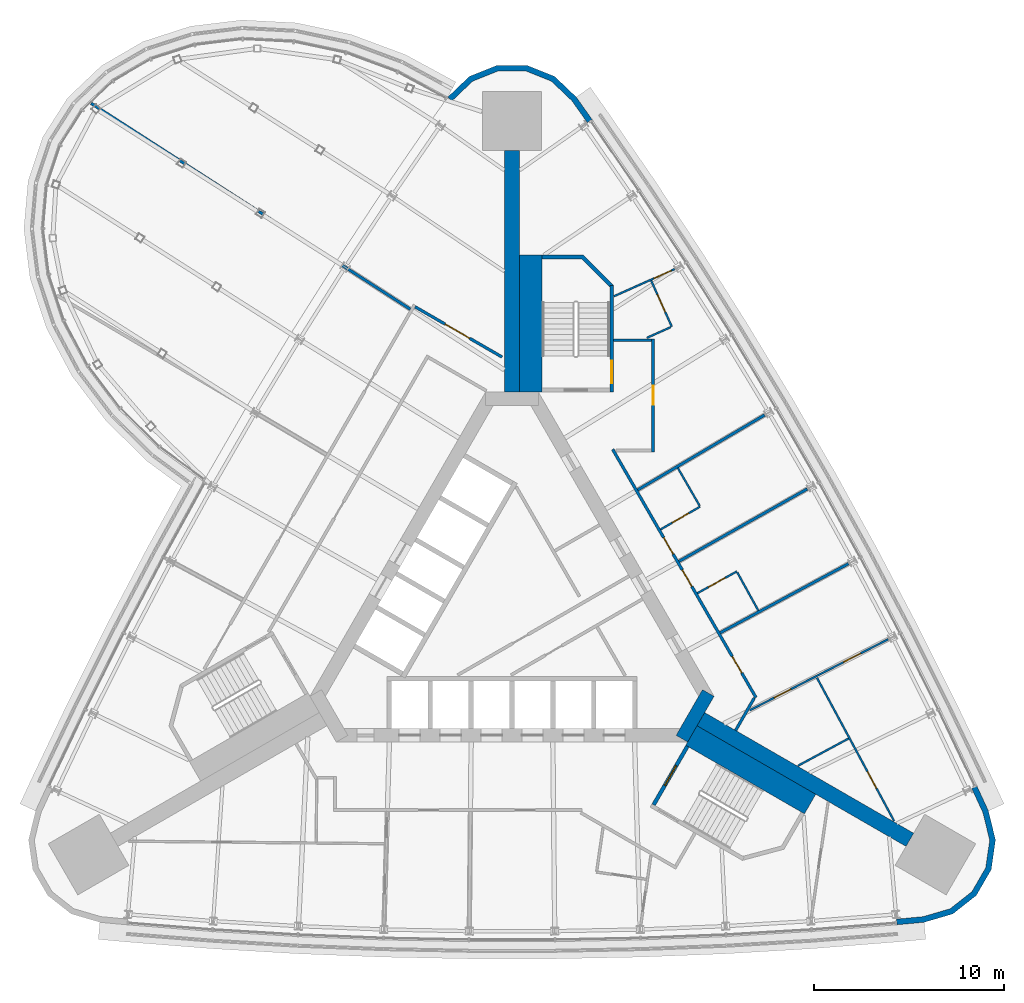
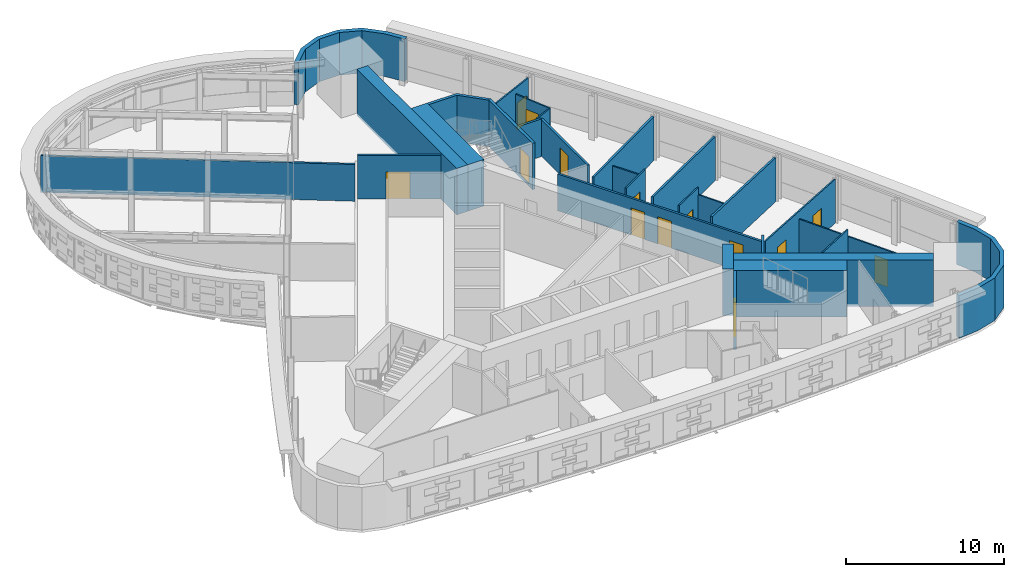
# One storey, part 13 of 17: 29 walls, 14 doors, 14 openings.
"""IFC4 building model written with IfcOpenShell, lengths in metres."""

from ifc_helpers import new_model, si_unit, direction, frame, frame_2d, origin, place, context, subcontext, project, spatial, polyline, rectangle, outline, extrude, material, layer, layer_set, type_object, element, fill, save


model = new_model("IFC4")

# Units and contexts
model_context = context("Model", 3, precision=1e-05, world=origin(), true_north=direction((0.0, 1.0)))
body_context = subcontext(model_context, "Body", "Model", "MODEL_VIEW")
ifc_project = project(units=[si_unit("LENGTHUNIT", "METRE"), si_unit("AREAUNIT", "SQUARE_METRE"), si_unit("VOLUMEUNIT", "CUBIC_METRE"), si_unit("PLANEANGLEUNIT", "RADIAN"), si_unit("MASSUNIT", "GRAM", prefix="KILO")], contexts=[model_context])

# Site, building, storey
site_placement = place(None, origin())
site = spatial("IfcSite", under=ifc_project, at=site_placement, CompositionType="ELEMENT")
building_placement = place(site_placement, origin())
building = spatial("IfcBuilding", under=site, at=building_placement, Name="Noor Cloister Tower", CompositionType="ELEMENT")
storey_placement = place(building_placement, frame((0.0, 0.0, 102.300048828125)))
storey = spatial("IfcBuildingStorey", under=building, at=storey_placement, Name="L26", CompositionType="ELEMENT", Elevation=102.300048828125)

# Walls
ifc_material_1 = material(Name="Concrete C80/95", Category="concrete")
ifc_layer_1 = layer(ifc_material_1, 0.800048828125)
ifc_layer_set_1 = layer_set([ifc_layer_1], Name="Buttress wall 800 C80/95")
wall_type_1 = type_object("IfcWallType", Name="Buttress wall 800 C80/95", PredefinedType="SHEAR", material=ifc_layer_set_1)
wall_1_placement = place(storey_placement, frame((0.0, 11.456298828125, -0.199951171875), z_axis=(0.0, 0.0, 1.0), x_axis=(0.0, 1.0, 0.0)))
element("IfcWall", 1, at=wall_1_placement, inside=storey, type_object=wall_type_1, Name="Buttress wall N L26", PredefinedType="SHEAR", context=body_context, shape_type="SweptSolid", body=[
    extrude(rectangle(XDim=12.677734375, YDim=0.800048828125, at=frame_2d((6.3388671875, 0.0))), origin(), (0.0, 0.0, 1.0), 3.599853515625),
])
wall_2_placement = place(storey_placement, frame((9.921630859375, -5.728271484375, -0.199951171875), z_axis=(0.0, 0.0, 1.0), x_axis=(0.866029086277, -0.499993621681, 0.0)))
element("IfcWall", 2, at=wall_2_placement, inside=storey, type_object=wall_type_1, Name="Buttress wall SE L26", PredefinedType="SHEAR", context=body_context, shape_type="SweptSolid", body=[
    extrude(rectangle(XDim=12.677490234375, YDim=0.800048828125, at=frame_2d((6.3388671875, 0.0))), origin(), (0.0, 0.0, 1.0), 3.599853515625),
])
ifc_material_2 = material(Name="Concrete C80/95", Category="concrete")
ifc_layer_2 = layer(ifc_material_2, 0.699951171875)
ifc_layer_set_2 = layer_set([ifc_layer_2], Name="Core wall 700 C80/95")
wall_type_2 = type_object("IfcWallType", Name="Core wall 700 C80/95", PredefinedType="SHEAR", material=ifc_layer_set_2)
wall_3_placement = place(storey_placement, frame((8.925537109375, -6.753173828125, -0.199951171875), z_axis=(0.0, 0.0, 1.0), x_axis=(0.500042739161, 0.866000726912, 0.0)))
element("IfcWall", 3, at=wall_3_placement, inside=storey, type_object=wall_type_2, Name="Core wall L26 2", PredefinedType="SHEAR", context=body_context, shape_type="SweptSolid", body=[
    extrude(rectangle(XDim=2.771240234375, YDim=0.699951171875, at=frame_2d((1.3857421875, 0.0))), origin(), (0.0, 0.0, 1.0), 3.599853515625),
])

# Wall, openings, doors
ifc_material_3 = material(Name="Gypsum board partition on steel studs, 150 mm", Category="steel")
ifc_layer_3 = layer(ifc_material_3, 0.14990234375)
ifc_layer_set_3 = layer_set([ifc_layer_3], Name="Flat wall 150")
wall_type_3 = type_object("IfcWallType", Name="Flat wall 150", PredefinedType="PARTITIONING", material=ifc_layer_set_3)
wall_4_placement = place(storey_placement, frame((5.28857421875, 8.4462890625, 0.0), z_axis=(0.0, 0.0, 1.0), x_axis=(0.499996620721, -0.866027354803, 0.0)))
wall_4 = element("IfcWall", 4, at=wall_4_placement, inside=storey, type_object=wall_type_3, Name="Flat wall 150 L26 003", PredefinedType="PARTITIONING", context=body_context, shape_type="SweptSolid", body=[
    extrude(rectangle(XDim=15.056640625, YDim=0.14990234375, at=frame_2d((7.5283203125, 0.0))), origin(), (0.0, 0.0, 1.0), 2.846923828125),
])
opening_1_placement = place(wall_4_placement, frame((12.56640625, 0.0, 0.0)))
opening_1 = element("IfcOpeningElement", 5, at=opening_1_placement, cuts=wall_4, Name="Opening L26-005", PredefinedType="OPENING", context=body_context, shape_type="SweptSolid", body=[
    extrude(rectangle(XDim=1.0, YDim=2.10009765625, at=frame_2d((0.5, 1.050048828125))), frame((0.0, 0.0849609375, 0.0), z_axis=(0.0, -1.0, 0.0), x_axis=(1.0, 0.0, 0.0)), (0.0, 0.0, 1.0), 0.169921875),
])
opening_2_placement = place(wall_4_placement, frame((7.315673828125, 0.0, 0.0)))
opening_2 = element("IfcOpeningElement", 6, at=opening_2_placement, cuts=wall_4, Name="Opening L26-006", PredefinedType="OPENING", context=body_context, shape_type="SweptSolid", body=[
    extrude(rectangle(XDim=1.0, YDim=2.10009765625, at=frame_2d((0.5, 1.050048828125))), frame((0.0, 0.0849609375, 0.0), z_axis=(0.0, -1.0, 0.0), x_axis=(1.0, 0.0, 0.0)), (0.0, 0.0, 1.0), 0.169921875),
])
opening_3_placement = place(wall_4_placement, frame((5.357421875, 0.0, 0.0)))
opening_3 = element("IfcOpeningElement", 7, at=opening_3_placement, cuts=wall_4, Name="Opening L26-007", PredefinedType="OPENING", context=body_context, shape_type="SweptSolid", body=[
    extrude(rectangle(XDim=1.0, YDim=2.10009765625, at=frame_2d((0.5, 1.050048828125))), frame((0.0, 0.0849609375, 0.0), z_axis=(0.0, -1.0, 0.0), x_axis=(1.0, 0.0, 0.0)), (0.0, 0.0, 1.0), 0.169921875),
])
ifc_material_4 = material(Name="Timber door leaf with steel frame", Category="steel")
door_type_1 = type_object("IfcDoorType", Name="Flat entrance door 1000 FD60S", OperationType="NOTDEFINED", PredefinedType="DOOR", material=ifc_material_4)
door_1_placement = place(opening_1_placement, origin())
door_1 = element("IfcDoor", 8, at=door_1_placement, inside=storey, type_object=door_type_1, Name="Flat entrance door 1000 L26-005", OperationType="SINGLE_SWING_RIGHT", OverallHeight=2.10009765625, OverallWidth=1.0, PredefinedType="DOOR", context=body_context, shape_type="SweptSolid", body=[
    extrude(rectangle(XDim=1.0, YDim=2.10009765625, at=frame_2d((0.5, 1.050048828125))), frame((0.0, 0.02490234375, 0.0), z_axis=(0.0, -1.0, 0.0), x_axis=(1.0, 0.0, 0.0)), (0.0, 0.0, 1.0), 0.050048828125),
])
fill(opening_1, door_1)
door_2_placement = place(opening_2_placement, origin())
door_2 = element("IfcDoor", 9, at=door_2_placement, inside=storey, type_object=door_type_1, Name="Flat entrance door 1000 L26-006", OperationType="SINGLE_SWING_RIGHT", OverallHeight=2.10009765625, OverallWidth=1.0, PredefinedType="DOOR", context=body_context, shape_type="SweptSolid", body=[
    extrude(rectangle(XDim=1.0, YDim=2.10009765625, at=frame_2d((0.5, 1.050048828125))), frame((0.0, 0.02490234375, 0.0), z_axis=(0.0, -1.0, 0.0), x_axis=(1.0, 0.0, 0.0)), (0.0, 0.0, 1.0), 0.050048828125),
])
fill(opening_2, door_2)
door_3_placement = place(opening_3_placement, origin())
door_3 = element("IfcDoor", 10, at=door_3_placement, inside=storey, type_object=door_type_1, Name="Flat entrance door 1000 L26-007", OperationType="SINGLE_SWING_LEFT", OverallHeight=2.10009765625, OverallWidth=1.0, PredefinedType="DOOR", context=body_context, shape_type="SweptSolid", body=[
    extrude(rectangle(XDim=1.0, YDim=2.10009765625, at=frame_2d((0.5, 1.050048828125))), frame((0.0, 0.02490234375, 0.0), z_axis=(0.0, -1.0, 0.0), x_axis=(1.0, 0.0, 0.0)), (0.0, 0.0, 1.0), 0.050048828125),
])
fill(opening_3, door_3)

# Wall, opening, door
wall_5_placement = place(storey_placement, frame((7.41064453125, 14.25634765625, 0.0), z_axis=(0.0, 0.0, 1.0), x_axis=(0.0, -1.0, 0.0)))
wall_5 = element("IfcWall", 11, at=wall_5_placement, inside=storey, type_object=wall_type_3, Name="Flat wall 150 L26 006", PredefinedType="PARTITIONING", context=body_context, shape_type="SweptSolid", body=[
    extrude(rectangle(XDim=5.949951171875, YDim=0.14990234375, at=frame_2d((2.97509765625, 0.0))), origin(), (0.0, 0.0, 1.0), 2.846923828125),
])
opening_4_placement = place(wall_5_placement, frame((2.47509765625, 0.0, 0.0)))
opening_4 = element("IfcOpeningElement", 12, at=opening_4_placement, cuts=wall_5, Name="Opening L26-010", PredefinedType="OPENING", context=body_context, shape_type="SweptSolid", body=[
    extrude(rectangle(XDim=1.0, YDim=2.10009765625, at=frame_2d((0.5, 1.050048828125))), frame((0.0, 0.0849609375, 0.0), z_axis=(0.0, -1.0, 0.0), x_axis=(1.0, 0.0, 0.0)), (0.0, 0.0, 1.0), 0.169921875),
])
door_4_placement = place(opening_4_placement, origin())
door_4 = element("IfcDoor", 13, at=door_4_placement, inside=storey, type_object=door_type_1, Name="Flat entrance door 1000 L26-010", OperationType="SINGLE_SWING_RIGHT", OverallHeight=2.10009765625, OverallWidth=1.0, PredefinedType="DOOR", context=body_context, shape_type="SweptSolid", body=[
    extrude(rectangle(XDim=1.0, YDim=2.10009765625, at=frame_2d((0.5, 1.050048828125))), frame((0.0, 0.02490234375, 0.0), z_axis=(0.0, -1.0, 0.0), x_axis=(1.0, 0.0, 0.0)), (0.0, 0.0, 1.0), 0.050048828125),
])
fill(opening_4, door_4)

wall_6_placement = place(storey_placement, frame((-5.093017578125, 15.93505859375, 0.0), z_axis=(0.0, 0.0, 1.0), x_axis=(0.866033195618, -0.499986503906, 0.0)))
wall_6 = element("IfcWall", 14, at=wall_6_placement, inside=storey, type_object=wall_type_3, Name="Flat wall 150 L26 007", PredefinedType="PARTITIONING", context=body_context, shape_type="SweptSolid", body=[
    extrude(rectangle(XDim=5.282470703125, YDim=0.14990234375, at=frame_2d((2.64111328125, 0.0))), origin(), (0.0, 0.0, 1.0), 3.39990234375),
])
opening_5_placement = place(wall_6_placement, frame((1.816162109375, 0.0, 0.0)))
opening_5 = element("IfcOpeningElement", 15, at=opening_5_placement, cuts=wall_6, Name="Opening L26-011", PredefinedType="OPENING", context=body_context, shape_type="SweptSolid", body=[
    extrude(rectangle(XDim=1.5, YDim=2.10009765625, at=frame_2d((0.75, 1.050048828125))), frame((0.0, 0.0849609375, 0.0), z_axis=(0.0, -1.0, 0.0), x_axis=(1.0, 0.0, 0.0)), (0.0, 0.0, 1.0), 0.169921875),
])
ifc_material_5 = material(Name="Timber door leaf with steel frame", Category="steel")
door_type_2 = type_object("IfcDoorType", Name="Double door 1500 FD60", OperationType="NOTDEFINED", PredefinedType="DOOR", material=ifc_material_5)
door_5_placement = place(opening_5_placement, origin())
door_5 = element("IfcDoor", 16, at=door_5_placement, inside=storey, type_object=door_type_2, Name="Double door 1500 L26-011", OperationType="DOUBLE_DOOR_SINGLE_SWING", OverallHeight=2.10009765625, OverallWidth=1.5, PredefinedType="DOOR", context=body_context, shape_type="SweptSolid", body=[
    extrude(rectangle(XDim=1.5, YDim=2.10009765625, at=frame_2d((0.75, 1.050048828125))), frame((0.0, 0.02490234375, 0.0), z_axis=(0.0, -1.0, 0.0), x_axis=(1.0, 0.0, 0.0)), (0.0, 0.0, 1.0), 0.050048828125),
])
fill(opening_5, door_5)

# Walls
wall_7_placement = place(storey_placement, frame((5.335693359375, 14.181396484375, 0.0), z_axis=(0.0, 0.0, 1.0), x_axis=(1.0, 0.0, 0.0)))
element("IfcWall", 17, at=wall_7_placement, inside=storey, type_object=wall_type_3, Name="Flat wall 150 L26 009", PredefinedType="PARTITIONING", context=body_context, shape_type="SweptSolid", body=[
    extrude(rectangle(XDim=2.0, YDim=0.14990234375, at=frame_2d((1.0, 0.0))), origin(), (0.0, 0.0, 1.0), 2.9228515625),
])
wall_8_placement = place(storey_placement, frame((11.745361328125, -6.3193359375, 0.0), z_axis=(0.0, 0.0, 1.0), x_axis=(0.500012721296, 0.866018059016, 0.0)))
element("IfcWall", 18, at=wall_8_placement, inside=storey, type_object=wall_type_3, Name="Flat wall 150 L26 012", PredefinedType="PARTITIONING", context=body_context, shape_type="SweptSolid", body=[
    extrude(rectangle(XDim=1.9658203125, YDim=0.14990234375, at=frame_2d((0.98291015625, 0.0))), origin(), (0.0, 0.0, 1.0), 3.39990234375),
])
wall_9_placement = place(storey_placement, frame((-22.1103515625, 26.62109375, 0.0), z_axis=(0.0, 0.0, 1.0), x_axis=(0.840382773847, -0.541993351823, 0.0)))
element("IfcWall", 19, at=wall_9_placement, inside=storey, type_object=wall_type_3, Name="Flat wall 150 L26 016", PredefinedType="PARTITIONING", context=body_context, shape_type="SweptSolid", body=[
    extrude(rectangle(XDim=19.950927734375, YDim=0.14990234375, at=frame_2d((9.9755859375, 0.0))), origin(), (0.0, 0.0, 1.0), 2.846923828125),
])
wall_10_placement = place(storey_placement, frame((15.51123046875, 6.366455078125, 0.0), z_axis=(0.0, 0.0, 1.0), x_axis=(-0.870902291502, -0.491456202175, 0.0)))
element("IfcWall", 20, at=wall_10_placement, inside=storey, type_object=wall_type_3, Name="Flat wall 150 L26 018", PredefinedType="PARTITIONING", context=body_context, shape_type="SweptSolid", body=[
    extrude(rectangle(XDim=7.73779296875, YDim=0.14990234375, at=frame_2d((3.868896484375, 0.0))), origin(), (0.0, 0.0, 1.0), 3.39990234375),
])
wall_11_placement = place(storey_placement, frame((13.269287109375, 10.25, 0.0), z_axis=(0.0, 0.0, 1.0), x_axis=(-0.861057776749, -0.508507133775, 0.0)))
element("IfcWall", 21, at=wall_11_placement, inside=storey, type_object=wall_type_3, Name="Flat wall 150 L26 019", PredefinedType="PARTITIONING", context=body_context, shape_type="SweptSolid", body=[
    extrude(rectangle(XDim=7.738037109375, YDim=0.14990234375, at=frame_2d((3.869140625, 0.0))), origin(), (0.0, 0.0, 1.0), 3.39990234375),
])
wall_12_placement = place(storey_placement, frame((17.676513671875, 2.439697265625, 0.0), z_axis=(0.0, 0.0, 1.0), x_axis=(-0.880400392736, -0.47423111293, 0.0)))
element("IfcWall", 22, at=wall_12_placement, inside=storey, type_object=wall_type_3, Name="Flat wall 150 L26 020", PredefinedType="PARTITIONING", context=body_context, shape_type="SweptSolid", body=[
    extrude(rectangle(XDim=7.651123046875, YDim=0.14990234375, at=frame_2d((3.82568359375, 0.0))), origin(), (0.0, 0.0, 1.0), 3.39990234375),
])
ifc_material_6 = material(Name="Limestone", Category="masonry")
ifc_layer_4 = layer(ifc_material_6, 0.300048828125)
ifc_layer_set_4 = layer_set([ifc_layer_4], Name="Limestone cladding 300")
wall_type_4 = type_object("IfcWallType", Name="Limestone cladding 300", PredefinedType="NOTDEFINED", material=ifc_layer_set_4)
wall_13_placement = place(storey_placement, origin())
element("IfcWall", 23, at=wall_13_placement, inside=storey, type_object=wall_type_4, Name="Limestone pier cladding L26 2.1", PredefinedType="NOTDEFINED", context=body_context, shape_type="SweptSolid", body=[
    extrude(outline(polyline([(20.2236328125, -16.53125), (21.65380859375, -16.399658203125), (23.1591796875, -15.958251953125), (24.392333984375, -14.988525390625), (25.1767578125, -13.630126953125), (25.399658203125, -12.077392578125), (25.029541015625, -10.552978515625), (24.42822265625, -9.24853515625), (24.15576171875, -9.3740234375), (24.744873046875, -10.652099609375), (25.094482421875, -12.092041015625), (24.887939453125, -13.5302734375), (24.161376953125, -14.78857421875), (23.019287109375, -15.6865234375), (21.597412109375, -16.103515625), (20.196044921875, -16.232421875), (20.2236328125, -16.53125)])), origin(), (0.0, 0.0, 1.0), 3.300048828125),
])
wall_14_placement = place(storey_placement, origin())
element("IfcWall", 24, at=wall_14_placement, inside=storey, type_object=wall_type_4, Name="Limestone pier cladding L26 3.1", PredefinedType="NOTDEFINED", context=body_context, shape_type="SweptSolid", body=[
    extrude(outline(polyline([(4.204833984375, 25.77978515625), (3.37548828125, 26.95263671875), (2.240478515625, 28.035400390625), (0.784423828125, 28.61865234375), (-0.784423828125, 28.61865234375), (-2.240478515625, 28.035400390625), (-3.37548828125, 26.95263671875), (-3.16845703125, 26.735595703125), (-2.075439453125, 27.778564453125), (-0.7265625, 28.31884765625), (0.7265625, 28.31884765625), (2.075439453125, 27.778564453125), (3.1474609375, 26.755615234375), (3.959716796875, 25.6064453125), (4.204833984375, 25.77978515625)])), origin(), (0.0, 0.0, 1.0), 3.300048828125),
])

# Wall, opening, door
ifc_material_7 = material(Name="Gypsum board partition on steel studs, 100 mm", Category="steel")
ifc_layer_5 = layer(ifc_material_7, 0.10009765625)
ifc_layer_set_5 = layer_set([ifc_layer_5], Name="Partition 100")
wall_type_5 = type_object("IfcWallType", Name="Partition 100", PredefinedType="PARTITIONING", material=ifc_layer_set_5)
wall_15_placement = place(storey_placement, frame((20.072509765625, -11.077880859375, 0.0), z_axis=(0.0, 0.0, 1.0), x_axis=(-0.474207115322, 0.880413318719, 0.0)))
wall_15 = element("IfcWall", 25, at=wall_15_placement, inside=storey, type_object=wall_type_5, Name="Partition 100 L26 024", PredefinedType="PARTITIONING", context=body_context, shape_type="SweptSolid", body=[
    extrude(rectangle(XDim=8.54833984375, YDim=0.10009765625, at=frame_2d((4.274169921875, 0.0))), origin(), (0.0, 0.0, 1.0), 2.85205078125),
])
opening_6_placement = place(wall_15_placement, frame((1.94921875, 0.0, 0.0)))
opening_6 = element("IfcOpeningElement", 26, at=opening_6_placement, cuts=wall_15, Name="Opening L26-013", PredefinedType="OPENING", context=body_context, shape_type="SweptSolid", body=[
    extrude(rectangle(XDim=1.0, YDim=2.10009765625, at=frame_2d((0.5, 1.050048828125))), frame((0.0, 0.06005859375, 0.0), z_axis=(0.0, -1.0, 0.0), x_axis=(1.0, 0.0, 0.0)), (0.0, 0.0, 1.0), 0.1201171875),
])
ifc_material_8 = material(Name="Timber door leaf with steel frame", Category="steel")
door_type_3 = type_object("IfcDoorType", Name="Interior door 1000", OperationType="NOTDEFINED", PredefinedType="DOOR", material=ifc_material_8)
door_6_placement = place(opening_6_placement, origin())
door_6 = element("IfcDoor", 27, at=door_6_placement, inside=storey, type_object=door_type_3, Name="Interior door 1000 L26-013", OperationType="SINGLE_SWING_LEFT", OverallHeight=2.10009765625, OverallWidth=1.0, PredefinedType="DOOR", context=body_context, shape_type="SweptSolid", body=[
    extrude(rectangle(XDim=1.0, YDim=2.10009765625, at=frame_2d((0.5, 1.050048828125))), frame((0.0, 0.02490234375, 0.0), z_axis=(0.0, -1.0, 0.0), x_axis=(1.0, 0.0, 0.0)), (0.0, 0.0, 1.0), 0.050048828125),
])
fill(opening_6, door_6)

# Wall, openings, doors
wall_16_placement = place(storey_placement, frame((19.763916015625, -1.52880859375, 0.0), z_axis=(0.0, 0.0, 1.0), x_axis=(-0.889562755555, -0.456812985728, 0.0)))
wall_16 = element("IfcWall", 28, at=wall_16_placement, inside=storey, type_object=wall_type_5, Name="Partition 100 L26 025", PredefinedType="PARTITIONING", context=body_context, shape_type="SweptSolid", body=[
    extrude(rectangle(XDim=8.177490234375, YDim=0.10009765625, at=frame_2d((4.0888671875, 0.0))), origin(), (0.0, 0.0, 1.0), 3.39990234375),
])
opening_7_placement = place(wall_16_placement, frame((5.741943359375, 0.0, 0.0)))
opening_7 = element("IfcOpeningElement", 29, at=opening_7_placement, cuts=wall_16, Name="Opening L26-014", PredefinedType="OPENING", context=body_context, shape_type="SweptSolid", body=[
    extrude(rectangle(XDim=1.0, YDim=2.10009765625, at=frame_2d((0.5, 1.050048828125))), frame((0.0, 0.06005859375, 0.0), z_axis=(0.0, -1.0, 0.0), x_axis=(1.0, 0.0, 0.0)), (0.0, 0.0, 1.0), 0.1201171875),
])
opening_8_placement = place(wall_16_placement, frame((1.634521484375, 0.0, 0.0)))
opening_8 = element("IfcOpeningElement", 30, at=opening_8_placement, cuts=wall_16, Name="Opening L26-015", PredefinedType="OPENING", context=body_context, shape_type="SweptSolid", body=[
    extrude(rectangle(XDim=1.0, YDim=2.10009765625, at=frame_2d((0.5, 1.050048828125))), frame((0.0, 0.06005859375, 0.0), z_axis=(0.0, -1.0, 0.0), x_axis=(1.0, 0.0, 0.0)), (0.0, 0.0, 1.0), 0.1201171875),
])
door_7_placement = place(opening_7_placement, origin())
door_7 = element("IfcDoor", 31, at=door_7_placement, inside=storey, type_object=door_type_3, Name="Interior door 1000 L26-014", OperationType="SINGLE_SWING_RIGHT", OverallHeight=2.10009765625, OverallWidth=1.0, PredefinedType="DOOR", context=body_context, shape_type="SweptSolid", body=[
    extrude(rectangle(XDim=1.0, YDim=2.10009765625, at=frame_2d((0.5, 1.050048828125))), frame((0.0, 0.02490234375, 0.0), z_axis=(0.0, -1.0, 0.0), x_axis=(1.0, 0.0, 0.0)), (0.0, 0.0, 1.0), 0.050048828125),
])
fill(opening_7, door_7)
door_8_placement = place(opening_8_placement, origin())
door_8 = element("IfcDoor", 32, at=door_8_placement, inside=storey, type_object=door_type_3, Name="Interior door 1000 L26-015", OperationType="SINGLE_SWING_LEFT", OverallHeight=2.10009765625, OverallWidth=1.0, PredefinedType="DOOR", context=body_context, shape_type="SweptSolid", body=[
    extrude(rectangle(XDim=1.0, YDim=2.10009765625, at=frame_2d((0.5, 1.050048828125))), frame((0.0, 0.02490234375, 0.0), z_axis=(0.0, -1.0, 0.0), x_axis=(1.0, 0.0, 0.0)), (0.0, 0.0, 1.0), 0.050048828125),
])
fill(opening_8, door_8)

# Wall, opening, door
wall_17_placement = place(storey_placement, frame((5.356201171875, 16.4873046875, 0.0), z_axis=(0.0, 0.0, 1.0), x_axis=(0.912565214453, 0.408931203713, 0.0)))
wall_17 = element("IfcWall", 33, at=wall_17_placement, inside=storey, type_object=wall_type_5, Name="Partition 100 L26 029", PredefinedType="PARTITIONING", context=body_context, shape_type="SweptSolid", body=[
    extrude(rectangle(XDim=3.4853515625, YDim=0.10009765625, at=frame_2d((1.74267578125, 0.0))), origin(), (0.0, 0.0, 1.0), 3.39990234375),
])
opening_9_placement = place(wall_17_placement, frame((2.296630859375, 0.0, 0.0)))
opening_9 = element("IfcOpeningElement", 34, at=opening_9_placement, cuts=wall_17, Name="Opening L26-020", PredefinedType="OPENING", context=body_context, shape_type="SweptSolid", body=[
    extrude(rectangle(XDim=1.0, YDim=2.10009765625, at=frame_2d((0.5, 1.050048828125))), frame((0.0, 0.06005859375, 0.0), z_axis=(0.0, -1.0, 0.0), x_axis=(1.0, 0.0, 0.0)), (0.0, 0.0, 1.0), 0.1201171875),
])
door_9_placement = place(opening_9_placement, origin())
door_9 = element("IfcDoor", 35, at=door_9_placement, inside=storey, type_object=door_type_3, Name="Interior door 1000 L26-020", OperationType="SINGLE_SWING_RIGHT", OverallHeight=2.10009765625, OverallWidth=1.0, PredefinedType="DOOR", context=body_context, shape_type="SweptSolid", body=[
    extrude(rectangle(XDim=1.0, YDim=2.10009765625, at=frame_2d((0.5, 1.050048828125))), frame((0.0, 0.02490234375, 0.0), z_axis=(0.0, -1.0, 0.0), x_axis=(1.0, 0.0, 0.0)), (0.0, 0.0, 1.0), 0.050048828125),
])
fill(opening_9, door_9)

# Wall
wall_18_placement = place(storey_placement, frame((17.681884765625, -6.7451171875, 0.0), z_axis=(0.0, 0.0, 1.0), x_axis=(-0.880419251007, -0.474196101267, 0.0)))
element("IfcWall", 36, at=wall_18_placement, inside=storey, type_object=wall_type_5, Name="Partition 100 L26 031", PredefinedType="PARTITIONING", context=body_context, shape_type="SweptSolid", body=[
    extrude(rectangle(XDim=3.024169921875, YDim=0.10009765625, at=frame_2d((1.51220703125, 0.0))), origin(), (0.0, 0.0, 1.0), 3.39990234375),
])

# Wall, opening, door
wall_19_placement = place(storey_placement, frame((8.39501953125, 14.890380859375, 0.0), z_axis=(0.0, 0.0, 1.0), x_axis=(-0.408965961138, 0.912549638448, 0.0)))
wall_19 = element("IfcWall", 37, at=wall_19_placement, inside=storey, type_object=wall_type_5, Name="Partition 100 L26 033", PredefinedType="PARTITIONING", context=body_context, shape_type="SweptSolid", body=[
    extrude(rectangle(XDim=2.64990234375, YDim=0.10009765625, at=frame_2d((1.324951171875, 0.0))), origin(), (0.0, 0.0, 1.0), 2.9228515625),
])
opening_10_placement = place(wall_19_placement, frame((0.85009765625, 0.0, 0.0)))
opening_10 = element("IfcOpeningElement", 38, at=opening_10_placement, cuts=wall_19, Name="Opening L26-022", PredefinedType="OPENING", context=body_context, shape_type="SweptSolid", body=[
    extrude(rectangle(XDim=1.0, YDim=2.10009765625, at=frame_2d((0.5, 1.050048828125))), frame((0.0, 0.06005859375, 0.0), z_axis=(0.0, -1.0, 0.0), x_axis=(1.0, 0.0, 0.0)), (0.0, 0.0, 1.0), 0.1201171875),
])
door_10_placement = place(opening_10_placement, origin())
door_10 = element("IfcDoor", 39, at=door_10_placement, inside=storey, type_object=door_type_3, Name="Interior door 1000 L26-022", OperationType="SINGLE_SWING_RIGHT", OverallHeight=2.10009765625, OverallWidth=1.0, PredefinedType="DOOR", context=body_context, shape_type="SweptSolid", body=[
    extrude(rectangle(XDim=1.0, YDim=2.10009765625, at=frame_2d((0.5, 1.050048828125))), frame((0.0, 0.02490234375, 0.0), z_axis=(0.0, -1.0, 0.0), x_axis=(1.0, 0.0, 0.0)), (0.0, 0.0, 1.0), 0.050048828125),
])
fill(opening_10, door_10)

wall_20_placement = place(storey_placement, frame((7.80517578125, 4.2373046875, 0.0), z_axis=(0.0, 0.0, 1.0), x_axis=(0.866006032174, 0.500033551112, 0.0)))
wall_20 = element("IfcWall", 40, at=wall_20_placement, inside=storey, type_object=wall_type_5, Name="Partition 100 L26 034", PredefinedType="PARTITIONING", context=body_context, shape_type="SweptSolid", body=[
    extrude(rectangle(XDim=2.400146484375, YDim=0.10009765625, at=frame_2d((1.2001953125, 0.0))), origin(), (0.0, 0.0, 1.0), 3.39990234375),
])
opening_11_placement = place(wall_20_placement, frame((0.699951171875, 0.0, 0.0)))
opening_11 = element("IfcOpeningElement", 41, at=opening_11_placement, cuts=wall_20, Name="Opening L26-023", PredefinedType="OPENING", context=body_context, shape_type="SweptSolid", body=[
    extrude(rectangle(XDim=1.0, YDim=2.10009765625, at=frame_2d((0.5, 1.050048828125))), frame((0.0, 0.06005859375, 0.0), z_axis=(0.0, -1.0, 0.0), x_axis=(1.0, 0.0, 0.0)), (0.0, 0.0, 1.0), 0.1201171875),
])
door_11_placement = place(opening_11_placement, origin())
door_11 = element("IfcDoor", 42, at=door_11_placement, inside=storey, type_object=door_type_3, Name="Interior door 1000 L26-023", OperationType="SINGLE_SWING_LEFT", OverallHeight=2.10009765625, OverallWidth=1.0, PredefinedType="DOOR", context=body_context, shape_type="SweptSolid", body=[
    extrude(rectangle(XDim=1.0, YDim=2.10009765625, at=frame_2d((0.5, 1.050048828125))), frame((0.0, 0.02490234375, 0.0), z_axis=(0.0, -1.0, 0.0), x_axis=(1.0, 0.0, 0.0)), (0.0, 0.0, 1.0), 0.050048828125),
])
fill(opening_11, door_11)

wall_21_placement = place(storey_placement, frame((11.80810546875, 2.0302734375, 0.0), z_axis=(0.0, 0.0, 1.0), x_axis=(-0.875678647011, -0.482894302275, 0.0)))
wall_21 = element("IfcWall", 43, at=wall_21_placement, inside=storey, type_object=wall_type_5, Name="Partition 100 L26 036", PredefinedType="PARTITIONING", context=body_context, shape_type="SweptSolid", body=[
    extrude(rectangle(XDim=2.362548828125, YDim=0.10009765625, at=frame_2d((1.18115234375, 0.0))), origin(), (0.0, 0.0, 1.0), 3.39990234375),
])
opening_12_placement = place(wall_21_placement, frame((0.699951171875, 0.0, 0.0)))
opening_12 = element("IfcOpeningElement", 44, at=opening_12_placement, cuts=wall_21, Name="Opening L26-024", PredefinedType="OPENING", context=body_context, shape_type="SweptSolid", body=[
    extrude(rectangle(XDim=1.0, YDim=2.10009765625, at=frame_2d((0.5, 1.050048828125))), frame((0.0, 0.06005859375, 0.0), z_axis=(0.0, -1.0, 0.0), x_axis=(1.0, 0.0, 0.0)), (0.0, 0.0, 1.0), 0.1201171875),
])
door_12_placement = place(opening_12_placement, origin())
door_12 = element("IfcDoor", 45, at=door_12_placement, inside=storey, type_object=door_type_3, Name="Interior door 1000 L26-024", OperationType="SINGLE_SWING_RIGHT", OverallHeight=2.10009765625, OverallWidth=1.0, PredefinedType="DOOR", context=body_context, shape_type="SweptSolid", body=[
    extrude(rectangle(XDim=1.0, YDim=2.10009765625, at=frame_2d((0.5, 1.050048828125))), frame((0.0, 0.02490234375, 0.0), z_axis=(0.0, -1.0, 0.0), x_axis=(1.0, 0.0, 0.0)), (0.0, 0.0, 1.0), 0.050048828125),
])
fill(opening_12, door_12)

# Walls
wall_22_placement = place(storey_placement, frame((12.94140625, -0.025146484375, 0.0), z_axis=(0.0, 0.0, 1.0), x_axis=(-0.482860975889, 0.875697024069, 0.0)))
element("IfcWall", 46, at=wall_22_placement, inside=storey, type_object=wall_type_5, Name="Partition 100 L26 037", PredefinedType="PARTITIONING", context=body_context, shape_type="SweptSolid", body=[
    extrude(rectangle(XDim=2.297119140625, YDim=0.10009765625, at=frame_2d((1.1484375, 0.0))), origin(), (0.0, 0.0, 1.0), 2.846923828125),
])
wall_23_placement = place(storey_placement, frame((8.710205078125, 7.469970703125, 0.0), z_axis=(0.0, 0.0, 1.0), x_axis=(0.499980071345, -0.866036909293, 0.0)))
element("IfcWall", 47, at=wall_23_placement, inside=storey, type_object=wall_type_5, Name="Partition 100 L26 038", PredefinedType="PARTITIONING", context=body_context, shape_type="SweptSolid", body=[
    extrude(rectangle(XDim=2.296875, YDim=0.10009765625, at=frame_2d((1.1484375, 0.0))), origin(), (0.0, 0.0, 1.0), 2.846923828125),
])
wall_24_placement = place(storey_placement, frame((7.082275390625, 14.302001953125, 0.0), z_axis=(0.0, 0.0, 1.0), x_axis=(0.912545530992, 0.408975126221, 0.0)))
element("IfcWall", 48, at=wall_24_placement, inside=storey, type_object=wall_type_5, Name="Partition 100 L26 039", PredefinedType="PARTITIONING", context=body_context, shape_type="SweptSolid", body=[
    extrude(rectangle(XDim=1.388427734375, YDim=0.10009765625, at=frame_2d((0.6943359375, 0.0))), origin(), (0.0, 0.0, 1.0), 2.9228515625),
])
ifc_material_9 = material(Name="Concrete C80/95", Category="concrete")
ifc_layer_6 = layer(ifc_material_9, 1.18603515625)
ifc_layer_set_6 = layer_set([ifc_layer_6], Name="Stair enclosure wall 1186 C80/95")
wall_type_6 = type_object("IfcWallType", Name="Stair enclosure wall 1186 C80/95", PredefinedType="SHEAR", material=ifc_layer_set_6)
wall_25_placement = place(storey_placement, frame((0.992919921875, 11.456298828125, -0.199951171875), z_axis=(0.0, 0.0, 1.0), x_axis=(0.0, 1.0, 0.0)))
element("IfcWall", 49, at=wall_25_placement, inside=storey, type_object=wall_type_6, Name="Stair enclosure wall ST1 L26 riser side", PredefinedType="SHEAR", context=body_context, shape_type="SweptSolid", body=[
    extrude(rectangle(XDim=7.2001953125, YDim=1.185546875, at=frame_2d((3.60009765625, 0.0))), origin(), (0.0, 0.0, 1.0), 3.599853515625),
])
wall_26_placement = place(storey_placement, frame((9.425048828125, -6.587890625, -0.199951171875), z_axis=(0.0, 0.0, 1.0), x_axis=(0.866018442252, -0.500012057535, 0.0)))
element("IfcWall", 50, at=wall_26_placement, inside=storey, type_object=wall_type_6, Name="Stair enclosure wall ST3 L26 riser side", PredefinedType="SHEAR", context=body_context, shape_type="SweptSolid", body=[
    extrude(rectangle(XDim=7.199951171875, YDim=1.185546875, at=frame_2d((3.60009765625, 0.0))), origin(), (0.0, 0.0, 1.0), 3.599853515625),
])

# Wall, opening, door
ifc_material_10 = material(Name="Concrete C80/95", Category="concrete")
ifc_layer_7 = layer(ifc_material_10, 0.199951171875)
ifc_layer_set_7 = layer_set([ifc_layer_7], Name="Stair enclosure wall 200 C80/95")
wall_type_7 = type_object("IfcWallType", Name="Stair enclosure wall 200 C80/95", PredefinedType="SHEAR", material=ifc_layer_set_7)
wall_27_placement = place(storey_placement, frame((5.235595703125, 11.456298828125, -0.199951171875), z_axis=(0.0, 0.0, 1.0), x_axis=(0.0, 1.0, 0.0)))
wall_27 = element("IfcWall", 51, at=wall_27_placement, inside=storey, type_object=wall_type_7, Name="Stair enclosure wall ST1 L26 outer side", PredefinedType="SHEAR", context=body_context, shape_type="SweptSolid", body=[
    extrude(rectangle(XDim=5.60009765625, YDim=0.199951171875, at=frame_2d((2.800048828125, 0.0))), origin(), (0.0, 0.0, 1.0), 3.599853515625),
])
opening_13_placement = place(wall_27_placement, frame((0.449951171875, 0.0, 0.199951171875)))
opening_13 = element("IfcOpeningElement", 52, at=opening_13_placement, cuts=wall_27, Name="Opening L26-ST1C", PredefinedType="OPENING", context=body_context, shape_type="SweptSolid", body=[
    extrude(rectangle(XDim=1.199951171875, YDim=2.10009765625, at=frame_2d((0.60009765625, 1.050048828125))), frame((0.0, 0.10986328125, 0.0), z_axis=(0.0, -1.0, 0.0), x_axis=(1.0, 0.0, 0.0)), (0.0, 0.0, 1.0), 0.219970703125),
])
ifc_material_11 = material(Name="Steel", Category="steel")
door_type_4 = type_object("IfcDoorType", Name="Stair door 1200 x 2100 FD120", OperationType="SINGLE_SWING_LEFT", PredefinedType="DOOR", material=ifc_material_11)
door_13_placement = place(opening_13_placement, origin())
door_13 = element("IfcDoor", 53, at=door_13_placement, inside=storey, type_object=door_type_4, Name="Stair door ST1 L26", OperationType="SINGLE_SWING_LEFT", OverallHeight=2.10009765625, OverallWidth=1.199951171875, PredefinedType="DOOR", context=body_context, shape_type="SweptSolid", body=[
    extrude(rectangle(XDim=1.199951171875, YDim=2.10009765625, at=frame_2d((0.60009765625, 1.050048828125))), frame((0.0, 0.02490234375, 0.0), z_axis=(0.0, -1.0, 0.0), x_axis=(1.0, 0.0, 0.0)), (0.0, 0.0, 1.0), 0.050048828125),
])
fill(opening_13, door_13)

wall_28_placement = place(storey_placement, frame((7.440185546875, -10.225830078125, -0.199951171875), z_axis=(0.0, 0.0, 1.0), x_axis=(0.500022077904, 0.866012656725, 0.0)))
wall_28 = element("IfcWall", 54, at=wall_28_placement, inside=storey, type_object=wall_type_7, Name="Stair enclosure wall ST3 L26 near end", PredefinedType="SHEAR", context=body_context, shape_type="SweptSolid", body=[
    extrude(rectangle(XDim=3.550048828125, YDim=0.199951171875, at=frame_2d((1.77490234375, 0.0))), origin(), (0.0, 0.0, 1.0), 3.599853515625),
])
opening_14_placement = place(wall_28_placement, frame((1.175048828125, 0.0, 0.199951171875)))
opening_14 = element("IfcOpeningElement", 55, at=opening_14_placement, cuts=wall_28, Name="Opening L26-ST3L", PredefinedType="OPENING", context=body_context, shape_type="SweptSolid", body=[
    extrude(rectangle(XDim=1.199951171875, YDim=2.10009765625, at=frame_2d((0.60009765625, 1.050048828125))), frame((0.0, 0.10986328125, 0.0), z_axis=(0.0, -1.0, 0.0), x_axis=(1.0, 0.0, 0.0)), (0.0, 0.0, 1.0), 0.219970703125),
])
door_14_placement = place(opening_14_placement, origin())
door_14 = element("IfcDoor", 56, at=door_14_placement, inside=storey, type_object=door_type_4, Name="Stair door ST3 L26", OperationType="SINGLE_SWING_RIGHT", OverallHeight=2.10009765625, OverallWidth=1.199951171875, PredefinedType="DOOR", context=body_context, shape_type="SweptSolid", body=[
    extrude(rectangle(XDim=1.199951171875, YDim=2.10009765625, at=frame_2d((0.60009765625, 1.050048828125))), frame((0.0, 0.02490234375, 0.0), z_axis=(0.0, -1.0, 0.0), x_axis=(1.0, 0.0, 0.0)), (0.0, 0.0, 1.0), 0.050048828125),
])
fill(opening_14, door_14)

# Wall
ifc_material_12 = material(Name="Concrete C80/95", Category="concrete")
wall_type_8 = type_object("IfcWallType", Name="Stair far end wall C80/95", PredefinedType="SHEAR", material=ifc_material_12)
wall_29_placement = place(storey_placement, frame((0.0, 0.0, -0.199951171875)))
element("IfcWall", 57, at=wall_29_placement, inside=storey, type_object=wall_type_8, Name="Stair enclosure wall ST1 L26 far end", PredefinedType="SHEAR", context=body_context, shape_type="SweptSolid", body=[
    extrude(outline(polyline([(5.335693359375, 17.056396484375), (3.735595703125, 18.656494140625), (1.585693359375, 18.656494140625), (1.585693359375, 18.456298828125), (3.65283203125, 18.456298828125), (5.135498046875, 16.9736328125), (5.135498046875, 17.056396484375), (5.135498046875, 17.056396484375), (5.135498046875, 17.056396484375), (5.135498046875, 17.056396484375), (5.135498046875, 17.056396484375), (5.135498046875, 17.056396484375), (5.135498046875, 17.056396484375), (5.135498046875, 17.056396484375), (5.135498046875, 17.056396484375), (5.135498046875, 17.056396484375), (5.135498046875, 17.056396484375), (5.135498046875, 17.056396484375), (5.135498046875, 17.056396484375), (5.135498046875, 17.056396484375), (5.135498046875, 17.056396484375), (5.135498046875, 17.056396484375), (5.135498046875, 17.056396484375), (5.335693359375, 17.056396484375)])), origin(), (0.0, 0.0, 1.0), 3.599853515625),
])

save(model, "model.ifc")
